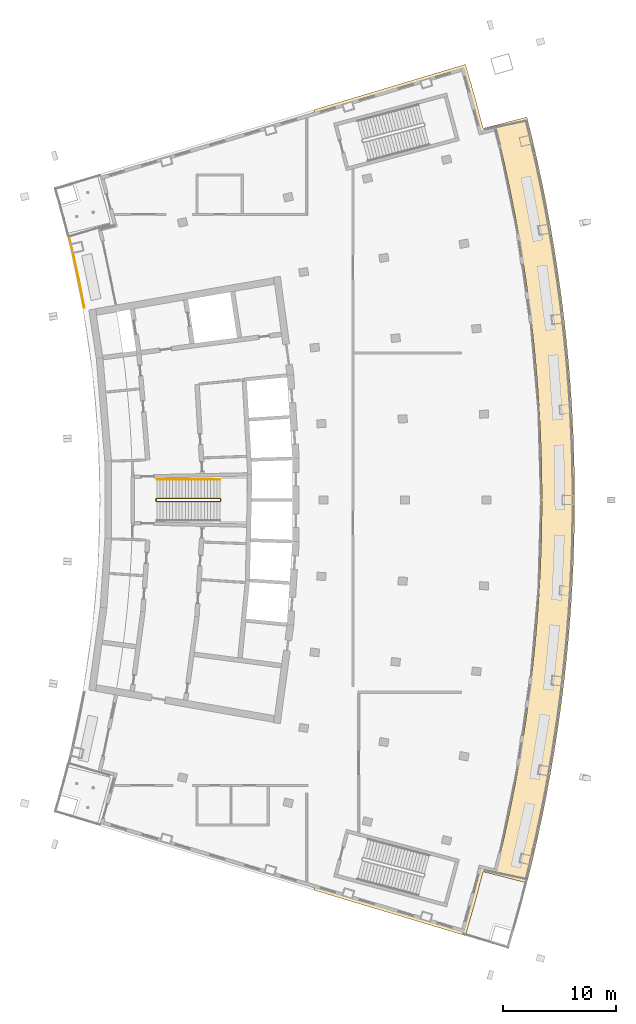
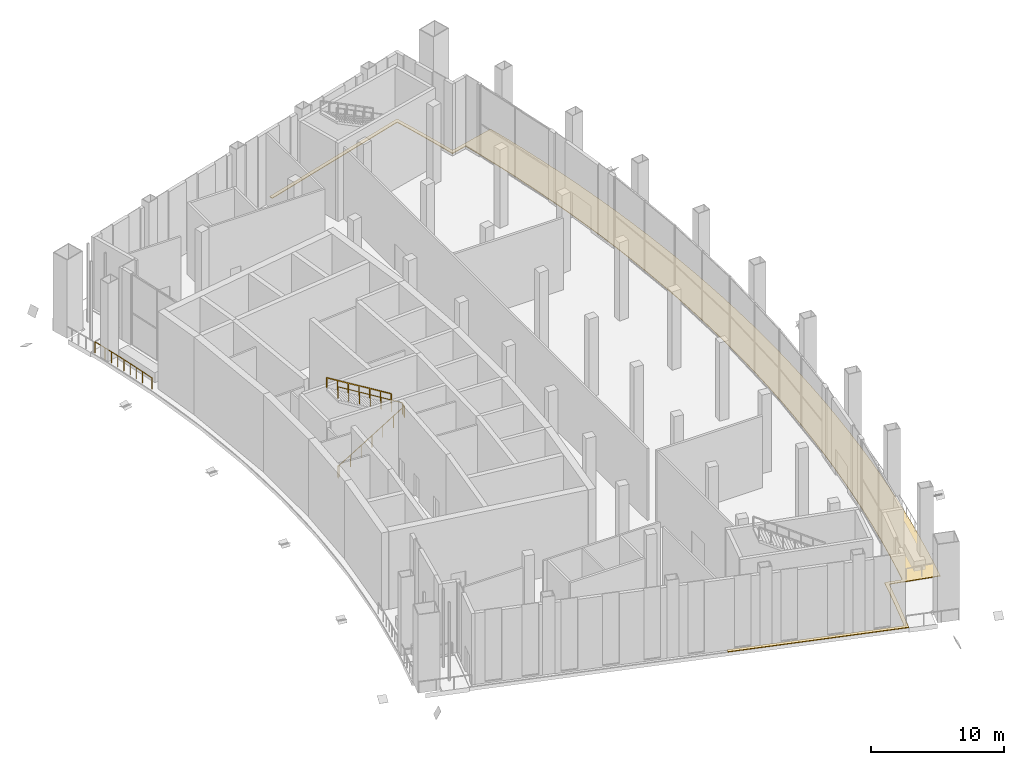
# One storey, part 21 of 24: 3 railings, 1 covering.
"""IFC4 building model written with IfcOpenShell, lengths in metres."""

from ifc_helpers import new_model, si_unit, direction, frame, origin, origin_2d, place, context, subcontext, project, spatial, polyline, rectangle, outline, extrude, material, layer, layer_set, type_object, element, save


model = new_model("IFC4")

# Units and contexts
model_context = context("Model", 3, precision=1e-05, world=origin(), true_north=direction((0.0, 1.0)))
body_context = subcontext(model_context, "Body", "Model", "MODEL_VIEW")
ifc_project = project(units=[si_unit("LENGTHUNIT", "METRE"), si_unit("AREAUNIT", "SQUARE_METRE"), si_unit("VOLUMEUNIT", "CUBIC_METRE"), si_unit("PLANEANGLEUNIT", "RADIAN"), si_unit("MASSUNIT", "GRAM", prefix="KILO")], contexts=[model_context])

# Site, building, storey
site_placement = place(None, origin())
site = spatial("IfcSite", under=ifc_project, at=site_placement, CompositionType="ELEMENT")
building_placement = place(site_placement, origin())
building = spatial("IfcBuilding", under=site, at=building_placement, Name="Alderwake Tower", CompositionType="ELEMENT")
storey_placement = place(building_placement, frame((0.0, 0.0, 232.39990234375)))
storey = spatial("IfcBuildingStorey", under=building, at=storey_placement, Name="L58", CompositionType="ELEMENT", Elevation=232.39990234375)

# Railing
ifc_material_1 = material(Name="Stainless steel 316 rail and posts", Category="steel")
railing_type_1 = type_object("IfcRailingType", Name="Balcony guard 1100", PredefinedType="GUARDRAIL", material=ifc_material_1)
railing_1_placement = place(storey_placement, frame((14.62890625, 78.035888671875, 0.0)))
element("IfcRailing", 1, at=railing_1_placement, inside=storey, type_object=railing_type_1, Name="Guard garden terrace rear", PredefinedType="GUARDRAIL", context=body_context, shape_type="SweptSolid", body=[
    extrude(rectangle(XDim=0.048095703125, YDim=0.048095703125, at=origin_2d()), frame((0.0, 0.0, 1.076171875), z_axis=(-0.182977626426, 0.983117077579, 0.0), x_axis=(-0.983117077579, -0.182977626426, 0.0)), (0.0, 0.0, 1.0), 1.10205078125),
    extrude(rectangle(XDim=0.048095703125, YDim=0.048095703125, at=origin_2d()), frame((-0.20166015625, 1.08349609375, 1.076171875), z_axis=(-0.1955468343, 0.980694364007, 0.0), x_axis=(-0.980694364007, -0.1955468343, 0.0)), (0.0, 0.0, 1.0), 1.402099609375),
    extrude(rectangle(XDim=0.048095703125, YDim=0.048095703125, at=origin_2d()), frame((-0.475830078125, 2.45849609375, 1.076171875), z_axis=(-0.209957084556, 0.977710602707, 0.0), x_axis=(-0.977710602707, -0.209957084556, 0.0)), (0.0, 0.0, 1.0), 1.40234375),
    extrude(rectangle(XDim=0.048095703125, YDim=0.048095703125, at=origin_2d()), frame((-0.770263671875, 3.82958984375, 1.076171875), z_axis=(-0.224096426432, 0.974566976488, 0.0), x_axis=(-0.974566976488, -0.224096426432, 0.0)), (0.0, 0.0, 1.0), 1.402099609375),
    extrude(rectangle(XDim=0.048095703125, YDim=0.048095703125, at=origin_2d()), frame((-1.08447265625, 5.196044921875, 1.076171875), z_axis=(-0.23679809516, 0.971558882481, 0.0), x_axis=(-0.971558882481, -0.23679809516, 0.0)), (0.0, 0.0, 1.0), 1.10205078125),
    extrude(rectangle(XDim=0.0419921875, YDim=0.0419921875, at=origin_2d()), frame((0.0, 0.0, 0.0), z_axis=(0.0, 0.0, 1.0), x_axis=(-0.182977626426, 0.983117077579, 0.0)), (0.0, 0.0, 1.0), 1.052001953125),
    extrude(rectangle(XDim=0.0419921875, YDim=0.0419921875, at=origin_2d()), frame((-0.20166015625, 1.08349609375, 0.0), z_axis=(0.0, 0.0, 1.0), x_axis=(-0.1955468343, 0.980694364007, 0.0)), (0.0, 0.0, 1.0), 1.052001953125),
    extrude(rectangle(XDim=0.0419921875, YDim=0.0419921875, at=origin_2d()), frame((-0.3388671875, 1.77099609375, 0.0), z_axis=(0.0, 0.0, 1.0), x_axis=(-0.1955468343, 0.980694364007, 0.0)), (0.0, 0.0, 1.0), 1.052001953125),
    extrude(rectangle(XDim=0.0419921875, YDim=0.0419921875, at=origin_2d()), frame((-0.475830078125, 2.45849609375, 0.0), z_axis=(0.0, 0.0, 1.0), x_axis=(-0.209957084556, 0.977710602707, 0.0)), (0.0, 0.0, 1.0), 1.052001953125),
    extrude(rectangle(XDim=0.0419921875, YDim=0.0419921875, at=origin_2d()), frame((-0.623046875, 3.14404296875, 0.0), z_axis=(0.0, 0.0, 1.0), x_axis=(-0.209957084556, 0.977710602707, 0.0)), (0.0, 0.0, 1.0), 1.052001953125),
    extrude(rectangle(XDim=0.0419921875, YDim=0.0419921875, at=origin_2d()), frame((-0.770263671875, 3.82958984375, 0.0), z_axis=(0.0, 0.0, 1.0), x_axis=(-0.224096426432, 0.974566976488, 0.0)), (0.0, 0.0, 1.0), 1.052001953125),
    extrude(rectangle(XDim=0.0419921875, YDim=0.0419921875, at=origin_2d()), frame((-0.92724609375, 4.5126953125, 0.0), z_axis=(0.0, 0.0, 1.0), x_axis=(-0.224096426432, 0.974566976488, 0.0)), (0.0, 0.0, 1.0), 1.052001953125),
    extrude(rectangle(XDim=0.0419921875, YDim=0.0419921875, at=origin_2d()), frame((-1.08447265625, 5.196044921875, 0.0), z_axis=(0.0, 0.0, 1.0), x_axis=(-0.23679809516, 0.971558882481, 0.0)), (0.0, 0.0, 1.0), 1.052001953125),
    extrude(rectangle(XDim=0.0419921875, YDim=0.0419921875, at=origin_2d()), frame((-1.345458984375, 6.266845703125, 0.0), z_axis=(0.0, 0.0, 1.0), x_axis=(-0.23679809516, 0.971558882481, 0.0)), (0.0, 0.0, 1.0), 1.052001953125),
])

# Covering
ifc_material_2 = material(Name="Bronze-grey porcelain paving on pedestals")
ifc_layer = layer(ifc_material_2, 0.06005859375)
ifc_layer_set = layer_set([ifc_layer], Name="Garden terrace paving 60")
covering_type = type_object("IfcCoveringType", Name="Garden terrace paving 60", PredefinedType="FLOORING", material=ifc_layer_set)
covering_placement = place(storey_placement, origin())
element("IfcCovering", 2, at=covering_placement, inside=storey, type_object=covering_type, Name="Garden terrace paving front", PredefinedType="FLOORING", context=body_context, shape_type="SweptSolid", body=[
    extrude(outline(polyline([(48.340576171875, 99.531494140625), (34.931884765625, 95.505859375), (34.931884765625, 95.505859375), (35.01611328125, 95.218017578125), (48.137451171875, 99.1572265625), (48.600341796875, 97.57373046875), (49.1201171875, 95.694580078125), (49.68798828125, 93.517578125), (51.041015625, 93.860107421875), (51.43896484375, 92.238037109375), (51.880615234375, 90.318115234375), (52.2939453125, 88.3916015625), (52.679443359375, 86.459716796875), (53.03662109375, 84.52197265625), (53.365478515625, 82.57958984375), (53.666015625, 80.63232421875), (53.93798828125, 78.680908203125), (54.181640625, 76.725830078125), (54.396728515625, 74.767578125), (54.583251953125, 72.80615234375), (54.740966796875, 70.84228515625), (54.8701171875, 68.87646484375), (54.970703125, 66.90869140625), (55.04248046875, 64.93994140625), (55.085693359375, 62.97021484375), (55.10009765625, 61.0), (55.085693359375, 59.02978515625), (55.04248046875, 57.06005859375), (54.970703125, 55.09130859375), (54.8701171875, 53.12353515625), (54.740966796875, 51.15771484375), (54.583251953125, 49.19384765625), (54.396728515625, 47.232421875), (54.181640625, 45.274169921875), (53.93798828125, 43.319091796875), (53.666015625, 41.36767578125), (53.365478515625, 39.42041015625), (53.03662109375, 37.47802734375), (52.679443359375, 35.540283203125), (52.2939453125, 33.6083984375), (51.880615234375, 31.681884765625), (51.43896484375, 29.761962890625), (51.041015625, 28.139892578125), (49.68798828125, 28.482421875), (49.1201171875, 26.305419921875), (48.600341796875, 24.42626953125), (48.137451171875, 22.8427734375), (35.01611328125, 26.781982421875), (34.931884765625, 26.494140625), (34.931884765625, 26.494140625), (48.340576171875, 22.468505859375), (48.888916015625, 24.343994140625), (49.40966796875, 26.2275390625), (49.903076171875, 28.118408203125), (53.78076171875, 27.136962890625), (54.26025390625, 29.09130859375), (54.71142578125, 31.052734375), (55.1337890625, 33.020263671875), (55.52734375, 34.993896484375), (55.892333984375, 36.97314453125), (56.228271484375, 38.957275390625), (56.53515625, 40.9462890625), (56.81298828125, 42.939453125), (57.06201171875, 44.9365234375), (57.281494140625, 46.93701171875), (57.47216796875, 48.9404296875), (57.63330078125, 50.9462890625), (57.765380859375, 52.95458984375), (57.867919921875, 54.96435546875), (57.94140625, 56.9755859375), (57.9853515625, 58.987548828125), (58.0, 61.0), (57.9853515625, 63.012451171875), (57.94140625, 65.0244140625), (57.867919921875, 67.03564453125), (57.765380859375, 69.04541015625), (57.63330078125, 71.0537109375), (57.47216796875, 73.0595703125), (57.281494140625, 75.06298828125), (57.06201171875, 77.0634765625), (56.81298828125, 79.060546875), (56.53515625, 81.0537109375), (56.228271484375, 83.042724609375), (55.892333984375, 85.02685546875), (55.52734375, 87.006103515625), (55.1337890625, 88.979736328125), (54.71142578125, 90.947265625), (54.26025390625, 92.90869140625), (53.78076171875, 94.863037109375), (49.903076171875, 93.881591796875), (49.40966796875, 95.7724609375), (48.888916015625, 97.656005859375), (48.340576171875, 99.531494140625)])), origin(), (0.0, 0.0, 1.0), 0.06005859375),
])

# Railings
ifc_material_3 = material(Name="Stainless steel guard", Category="steel")
railing_type_2 = type_object("IfcRailingType", Name="Stair guard 1100", PredefinedType="GUARDRAIL", material=ifc_material_3)
railing_2_placement = place(storey_placement, frame((20.989990234375, 60.925048828125, 0.0)))
element("IfcRailing", 3, at=railing_2_placement, inside=storey, type_object=railing_type_2, Name="L58 ST-B stair guard 1", PredefinedType="GUARDRAIL", context=body_context, shape_type="SweptSolid", body=[
    extrude(rectangle(XDim=0.048095703125, YDim=0.048095703125, at=origin_2d()), frame((0.0, 0.0, 1.076171875), z_axis=(0.0, 1.0, 0.0), x_axis=(-1.0, 0.0, 0.0)), (0.0, 0.0, 1.0), 0.14990234375),
    extrude(rectangle(XDim=0.048095703125, YDim=0.048095703125, at=origin_2d()), frame((0.0, 0.14990234375, 1.076171875), z_axis=(0.186595482641, -0.745471708697, 0.639885972178), x_axis=(0.970072785993, 0.242814311512, 0.0)), (0.0, 0.0, 1.0), 0.268310546875),
    extrude(rectangle(XDim=0.048095703125, YDim=0.048095703125, at=origin_2d()), frame((0.050048828125, -0.050048828125, 1.24755859375), z_axis=(0.852852317832, 0.0, 0.522152203833), x_axis=(0.0, 1.0, 0.0)), (0.0, 0.0, 1.0), 6.56591796875),
    extrude(rectangle(XDim=0.048095703125, YDim=0.048095703125, at=origin_2d()), frame((5.64990234375, -0.050048828125, 4.67626953125), z_axis=(0.707106781187, 0.707106781187, 0.0), x_axis=(-0.707106781187, 0.707106781187, 0.0)), (0.0, 0.0, 1.0), 0.07080078125),
    extrude(rectangle(XDim=0.048095703125, YDim=0.048095703125, at=origin_2d()), frame((5.699951171875, 0.0, 4.67626953125), z_axis=(0.0, 1.0, 0.0), x_axis=(-1.0, 0.0, 0.0)), (0.0, 0.0, 1.0), 0.14990234375),
    extrude(rectangle(XDim=0.048095703125, YDim=0.048095703125, at=origin_2d()), frame((5.699951171875, 0.14990234375, 4.67626953125), z_axis=(-0.269911200495, 0.269911200495, 0.924281281696), x_axis=(-0.707106781187, -0.707106781187, 0.0)), (0.0, 0.0, 1.0), 0.185546875),
    extrude(rectangle(XDim=0.048095703125, YDim=0.048095703125, at=origin_2d()), frame((5.64990234375, 0.199951171875, 4.84765625), z_axis=(-0.852835759714, 0.0, 0.522179247915), x_axis=(0.0, -1.0, 0.0)), (0.0, 0.0, 1.0), 6.566162109375),
    extrude(rectangle(XDim=0.0419921875, YDim=0.0419921875, at=origin_2d()), frame((0.0, 0.0, 0.0), z_axis=(0.0, 0.0, 1.0), x_axis=(0.0, 1.0, 0.0)), (0.0, 0.0, 1.0), 1.052001953125),
    extrude(rectangle(XDim=0.0419921875, YDim=0.0419921875, at=origin_2d()), frame((0.0, 0.14990234375, 0.0), z_axis=(0.0, 0.0, 1.0), x_axis=(0.242814311512, -0.970072785993, 0.0)), (0.0, 0.0, 1.0), 1.052001953125),
    extrude(rectangle(XDim=0.0419921875, YDim=0.0419921875, at=origin_2d()), frame((0.050048828125, -0.050048828125, 0.171630859375), z_axis=(0.0, 0.0, 1.0), x_axis=(1.0, 0.0, 0.0)), (0.0, 0.0, 1.0), 1.052001953125),
    extrude(rectangle(XDim=0.0419921875, YDim=0.0419921875, at=origin_2d()), frame((0.9833984375, -0.050048828125, 0.7431640625), z_axis=(0.0, 0.0, 1.0), x_axis=(1.0, 0.0, 0.0)), (0.0, 0.0, 1.0), 1.052001953125),
    extrude(rectangle(XDim=0.0419921875, YDim=0.0419921875, at=origin_2d()), frame((1.916748046875, -0.050048828125, 1.314453125), z_axis=(0.0, 0.0, 1.0), x_axis=(1.0, 0.0, 0.0)), (0.0, 0.0, 1.0), 1.052001953125),
    extrude(rectangle(XDim=0.0419921875, YDim=0.0419921875, at=origin_2d()), frame((2.85009765625, -0.050048828125, 1.8857421875), z_axis=(0.0, 0.0, 1.0), x_axis=(1.0, 0.0, 0.0)), (0.0, 0.0, 1.0), 1.052001953125),
    extrude(rectangle(XDim=0.0419921875, YDim=0.0419921875, at=origin_2d()), frame((3.783203125, -0.050048828125, 2.457275390625), z_axis=(0.0, 0.0, 1.0), x_axis=(1.0, 0.0, 0.0)), (0.0, 0.0, 1.0), 1.052001953125),
    extrude(rectangle(XDim=0.0419921875, YDim=0.0419921875, at=origin_2d()), frame((4.716552734375, -0.050048828125, 3.02880859375), z_axis=(0.0, 0.0, 1.0), x_axis=(1.0, 0.0, 0.0)), (0.0, 0.0, 1.0), 1.052001953125),
    extrude(rectangle(XDim=0.0419921875, YDim=0.0419921875, at=origin_2d()), frame((5.64990234375, -0.050048828125, 3.60009765625), z_axis=(0.0, 0.0, 1.0), x_axis=(0.707106781187, 0.707106781187, 0.0)), (0.0, 0.0, 1.0), 1.052001953125),
    extrude(rectangle(XDim=0.0419921875, YDim=0.0419921875, at=origin_2d()), frame((5.699951171875, 0.0, 3.60009765625), z_axis=(0.0, 0.0, 1.0), x_axis=(0.0, 1.0, 0.0)), (0.0, 0.0, 1.0), 1.052001953125),
    extrude(rectangle(XDim=0.0419921875, YDim=0.0419921875, at=origin_2d()), frame((5.699951171875, 0.14990234375, 3.60009765625), z_axis=(0.0, 0.0, 1.0), x_axis=(-0.707106781187, 0.707106781187, 0.0)), (0.0, 0.0, 1.0), 1.052001953125),
    extrude(rectangle(XDim=0.0419921875, YDim=0.0419921875, at=origin_2d()), frame((5.64990234375, 0.199951171875, 3.771484375), z_axis=(0.0, 0.0, 1.0), x_axis=(-1.0, 0.0, 0.0)), (0.0, 0.0, 1.0), 1.052001953125),
    extrude(rectangle(XDim=0.0419921875, YDim=0.0419921875, at=origin_2d()), frame((4.716552734375, 0.199951171875, 4.343017578125), z_axis=(0.0, 0.0, 1.0), x_axis=(-1.0, 0.0, 0.0)), (0.0, 0.0, 1.0), 1.052001953125),
    extrude(rectangle(XDim=0.0419921875, YDim=0.0419921875, at=origin_2d()), frame((3.783203125, 0.199951171875, 4.914306640625), z_axis=(0.0, 0.0, 1.0), x_axis=(-1.0, 0.0, 0.0)), (0.0, 0.0, 1.0), 1.052001953125),
    extrude(rectangle(XDim=0.0419921875, YDim=0.0419921875, at=origin_2d()), frame((2.85009765625, 0.199951171875, 5.48583984375), z_axis=(0.0, 0.0, 1.0), x_axis=(-1.0, 0.0, 0.0)), (0.0, 0.0, 1.0), 1.052001953125),
    extrude(rectangle(XDim=0.0419921875, YDim=0.0419921875, at=origin_2d()), frame((1.916748046875, 0.199951171875, 6.057373046875), z_axis=(0.0, 0.0, 1.0), x_axis=(-1.0, 0.0, 0.0)), (0.0, 0.0, 1.0), 1.052001953125),
    extrude(rectangle(XDim=0.0419921875, YDim=0.0419921875, at=origin_2d()), frame((0.9833984375, 0.199951171875, 6.628662109375), z_axis=(0.0, 0.0, 1.0), x_axis=(-1.0, 0.0, 0.0)), (0.0, 0.0, 1.0), 1.052001953125),
    extrude(rectangle(XDim=0.0419921875, YDim=0.0419921875, at=origin_2d()), frame((0.050048828125, 0.199951171875, 7.2001953125), z_axis=(0.0, 0.0, 1.0), x_axis=(-1.0, 0.0, 0.0)), (0.0, 0.0, 1.0), 1.052001953125),
])
ifc_material_4 = material(Name="Stainless steel handrail", Category="steel")
railing_type_3 = type_object("IfcRailingType", Name="Stair handrail 900", PredefinedType="HANDRAIL", material=ifc_material_4)
railing_3_placement = place(storey_placement, frame((26.639892578125, 62.824951171875, 3.771484375)))
element("IfcRailing", 4, at=railing_3_placement, inside=storey, type_object=railing_type_3, Name="L58 ST-B stair handrail 2", PredefinedType="HANDRAIL", context=body_context, shape_type="SweptSolid", body=[
    extrude(rectangle(XDim=0.048095703125, YDim=0.048095703125, at=origin_2d()), frame((0.0, 0.0, 0.8759765625), z_axis=(-0.852835759714, 0.0, 0.522179247915), x_axis=(0.0, -1.0, 0.0)), (0.0, 0.0, 1.0), 6.566162109375),
    extrude(rectangle(XDim=0.0419921875, YDim=0.0419921875, at=origin_2d()), frame((0.0, 0.0, 0.0), z_axis=(0.0, 0.0, 1.0), x_axis=(-1.0, 0.0, 0.0)), (0.0, 0.0, 1.0), 0.851806640625),
    extrude(rectangle(XDim=0.0419921875, YDim=0.0419921875, at=origin_2d()), frame((-0.933349609375, 0.0, 0.571533203125), z_axis=(0.0, 0.0, 1.0), x_axis=(-1.0, 0.0, 0.0)), (0.0, 0.0, 1.0), 0.851806640625),
    extrude(rectangle(XDim=0.0419921875, YDim=0.0419921875, at=origin_2d()), frame((-1.86669921875, 0.0, 1.142822265625), z_axis=(0.0, 0.0, 1.0), x_axis=(-1.0, 0.0, 0.0)), (0.0, 0.0, 1.0), 0.851806640625),
    extrude(rectangle(XDim=0.0419921875, YDim=0.0419921875, at=origin_2d()), frame((-2.7998046875, 0.0, 1.71435546875), z_axis=(0.0, 0.0, 1.0), x_axis=(-1.0, 0.0, 0.0)), (0.0, 0.0, 1.0), 0.851806640625),
    extrude(rectangle(XDim=0.0419921875, YDim=0.0419921875, at=origin_2d()), frame((-3.733154296875, 0.0, 2.285888671875), z_axis=(0.0, 0.0, 1.0), x_axis=(-1.0, 0.0, 0.0)), (0.0, 0.0, 1.0), 0.851806640625),
    extrude(rectangle(XDim=0.0419921875, YDim=0.0419921875, at=origin_2d()), frame((-4.66650390625, 0.0, 2.857177734375), z_axis=(0.0, 0.0, 1.0), x_axis=(-1.0, 0.0, 0.0)), (0.0, 0.0, 1.0), 0.851806640625),
    extrude(rectangle(XDim=0.0419921875, YDim=0.0419921875, at=origin_2d()), frame((-5.599853515625, 0.0, 3.4287109375), z_axis=(0.0, 0.0, 1.0), x_axis=(-1.0, 0.0, 0.0)), (0.0, 0.0, 1.0), 0.851806640625),
])

save(model, "model.ifc")
